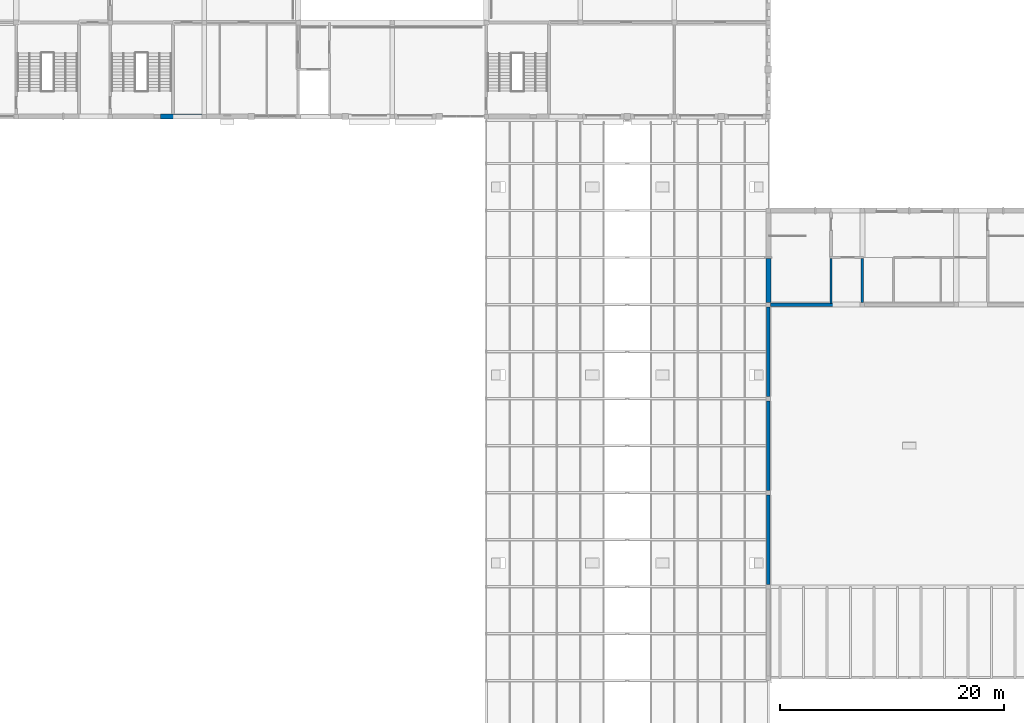
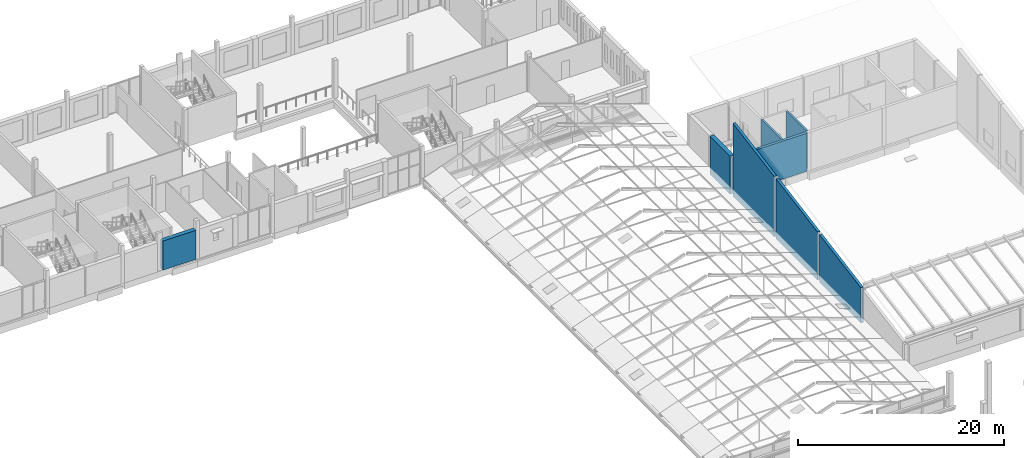
# One storey, part 99 of 116: 8 walls.
"""IFC4 building model written with IfcOpenShell, lengths in metres."""

import ifcopenshell
import ifcopenshell.guid

model = None  # the IFC model being written
_history = None  # IfcOwnerHistory: only IFC2X3 demands one
_inside = {}  # id of a spatial element -> (the spatial element, [elements in it])
_under = {}  # id of a project, library or spatial element -> (it, [spatial elements below it])
_declared = {}  # id of a project -> (the project, [libraries it declares])
_typed = {}  # id of a type object -> (the type object, [elements of that type])
_made_of = {}  # id of a material, layer set ... -> (it, [elements and type objects made of it])


def new_model(schema):
    """Start an empty IFC model of exactly this schema.

    Asked for "IFC4X3", IfcOpenShell would pick the latest addendum, in which some entities
    have other attributes; the version numbers below select the first issue.
    IFC2X3 requires an IfcOwnerHistory on every rooted entity: one is made here for all.
    """
    global model, _history
    if schema == "IFC4X3":
        model = ifcopenshell.file(schema_version=(4, 3, 0, 0))
    else:
        model = ifcopenshell.file(schema=schema)
    _inside.clear()
    _under.clear()
    _declared.clear()
    _typed.clear()
    _made_of.clear()
    _history = None
    if model.schema == "IFC2X3":
        org = make("IfcOrganization", Name="unknown")
        user = make(
            "IfcPersonAndOrganization",
            ThePerson=make("IfcPerson", FamilyName="unknown"),
            TheOrganization=org,
        )
        app = make(
            "IfcApplication",
            ApplicationDeveloper=org,
            Version="unknown",
            ApplicationFullName="unknown",
            ApplicationIdentifier="unknown",
        )
        _history = make(
            "IfcOwnerHistory",
            OwningUser=user,
            OwningApplication=app,
            ChangeAction="ADDED",
            CreationDate=0,
        )
    return model


def make(cls, **values):
    """One entity of the class cls with the attributes given. An attribute that is None is left unset."""
    return model.create_entity(
        cls, **{name: value for name, value in values.items() if value is not None}
    )


def rooted(cls, **values):
    """An entity with a GlobalId (a new one), such as an element, a storey or a relation."""
    return make(cls, GlobalId=ifcopenshell.guid.new(), OwnerHistory=_history, **values)


def si_unit(unit_type, name, prefix=None):
    """IfcSIUnit, for example si_unit("LENGTHUNIT", "METRE", prefix="MILLI")."""
    return make("IfcSIUnit", UnitType=unit_type, Prefix=prefix, Name=name)


def assignment(units):
    """IfcUnitAssignment: the units of a project."""
    return None if units is None else make("IfcUnitAssignment", Units=units)


def point(xyz):
    """IfcCartesianPoint."""
    return None if xyz is None else make("IfcCartesianPoint", Coordinates=xyz)


def direction(xyz):
    """IfcDirection."""
    return None if xyz is None else make("IfcDirection", DirectionRatios=xyz)


def frame(location, z_axis=None, x_axis=None):
    """IfcAxis2Placement3D, a coordinate frame: its origin and axes. An axis left out is left unset."""
    return make(
        "IfcAxis2Placement3D",
        Location=point(location),
        Axis=direction(z_axis),
        RefDirection=direction(x_axis),
    )


def frame_2d(location, x_axis=None):
    """IfcAxis2Placement2D, a coordinate frame in the plane: its origin and x axis."""
    return make(
        "IfcAxis2Placement2D", Location=point(location), RefDirection=direction(x_axis)
    )


def origin():
    """The frame at (0, 0, 0) with its axes left unset."""
    return frame((0.0, 0.0, 0.0))


def place(relative_to, where):
    """IfcLocalPlacement: puts the frame where relative to a parent placement (None: the world)."""
    return make(
        "IfcLocalPlacement", PlacementRelTo=relative_to, RelativePlacement=where
    )


def context(
    kind, dimensions, precision=None, world=None, true_north=None, identifier=None
):
    """IfcGeometricRepresentationContext, for example the 3D "Model" context."""
    return make(
        "IfcGeometricRepresentationContext",
        ContextIdentifier=identifier,
        ContextType=kind,
        CoordinateSpaceDimension=dimensions,
        Precision=precision,
        WorldCoordinateSystem=world,
        TrueNorth=true_north,
    )


def subcontext(parent, identifier, kind, view, scale=None):
    """IfcGeometricRepresentationSubContext, for example "Body" below "Model"."""
    return make(
        "IfcGeometricRepresentationSubContext",
        ContextIdentifier=identifier,
        ContextType=kind,
        ParentContext=parent,
        TargetScale=scale,
        TargetView=view,
    )


def project(units=None, contexts=None):
    """IfcProject with its units and contexts."""
    return rooted(
        "IfcProject",
        Name="project",
        RepresentationContexts=contexts,
        UnitsInContext=assignment(units),
    )


def spatial(cls, under=None, at=None, **own):
    """A site, building, storey or space (cls), placed at a placement, below another one or the project."""
    s = rooted(cls, ObjectPlacement=at, **own)
    if under is not None:
        _under.setdefault(under.id(), (under, []))[1].append(s)
    return s


def polyline(points):
    """IfcPolyline through the points."""
    return make("IfcPolyline", Points=[point(p) for p in points])


def profile(cls, at=None, kind="AREA", **sizes):
    """A parametric profile (cls). Its sizes go by their IFC names, for example OverallWidth=200.0."""
    return make(cls, ProfileType=kind, Position=at, **sizes)


def rectangle(**sizes):
    """IfcRectangleProfileDef."""
    return profile("IfcRectangleProfileDef", **sizes)


def outline(outer, holes=None, kind="AREA"):
    """IfcArbitraryClosedProfileDef: a profile drawn as a closed curve; with holes, ...WithVoids."""
    if holes is None:
        return make("IfcArbitraryClosedProfileDef", ProfileType=kind, OuterCurve=outer)
    return make(
        "IfcArbitraryProfileDefWithVoids",
        ProfileType=kind,
        OuterCurve=outer,
        InnerCurves=holes,
    )


def extrude(swept, where, along, depth):
    """IfcExtrudedAreaSolid: the profile swept, set in the frame where, extruded along a direction by depth."""
    return make(
        "IfcExtrudedAreaSolid",
        SweptArea=swept,
        Position=where,
        ExtrudedDirection=direction(along),
        Depth=depth,
    )


def shape(context_of_items, identifier, shape_type, items):
    """IfcShapeRepresentation: the items that make up one representation, for example the "Body"."""
    return make(
        "IfcShapeRepresentation",
        ContextOfItems=context_of_items,
        RepresentationIdentifier=identifier,
        RepresentationType=shape_type,
        Items=items,
    )


def material(Name=None, Category=None):
    """IfcMaterial."""
    return make("IfcMaterial", Name=Name, Category=Category)


def layer(
    of_material, thickness, ventilated=None, Name=None, Category=None, Priority=None
):
    """IfcMaterialLayer: one layer of a wall or slab, of a material (None: an air gap)."""
    return make(
        "IfcMaterialLayer",
        Material=of_material,
        LayerThickness=thickness,
        IsVentilated=ventilated,
        Name=Name,
        Category=Category,
        Priority=Priority,
    )


def layer_set(layers, Name=None):
    """IfcMaterialLayerSet."""
    return make("IfcMaterialLayerSet", MaterialLayers=layers, LayerSetName=Name)


def made_of(thing, what):
    """Note that an element or type object is made of a material, layer set ...; save() writes the relation."""
    if what is not None:
        _made_of.setdefault(what.id(), (what, []))[1].append(thing)
    return thing


def type_object(cls, material=None, **own):
    """A type object (cls), such as IfcWallType, which elements share."""
    return made_of(rooted(cls, **own), material)


def element(
    cls,
    number,
    at=None,
    inside=None,
    cuts=None,
    type_object=None,
    material=None,
    context=None,
    identifier="Body",
    shape_type=None,
    held_by="IfcProductDefinitionShape",
    body=None,
    shapes=None,
    **own,
):
    """One element of the class cls, such as IfcWall. Its Tag is "e" and its number.

    at: its placement. inside: the storey or other place that contains it. cuts: it is an
    opening in that element (IfcRelVoidsElement). A single representation is given by context,
    identifier, shape_type and body (its items); several are given by shapes. held_by: the class
    of the entity that holds the representations. save() writes the other relations.
    """
    e = rooted(cls, Tag="e%d" % number, ObjectPlacement=at, **own)
    if body is not None:
        shapes = [shape(context, identifier, shape_type, body)]
    if shapes is not None:
        e.Representation = make(held_by, Representations=shapes)
    if inside is not None:
        _inside.setdefault(inside.id(), (inside, []))[1].append(e)
    if cuts is not None:
        rooted(
            "IfcRelVoidsElement", RelatingBuildingElement=cuts, RelatedOpeningElement=e
        )
    if type_object is not None:
        _typed.setdefault(type_object.id(), (type_object, []))[1].append(e)
    return made_of(e, material)


def aggregate(whole, parts):
    """IfcRelAggregates: a whole, such as a stair, and the parts it consists of."""
    return rooted("IfcRelAggregates", RelatingObject=whole, RelatedObjects=parts)


def save(model, path):
    """Write the relations noted so far, then the file.

    IfcRelAggregates (storeys below a building ...), IfcRelContainedInSpatialStructure (elements
    in a storey), IfcRelDefinesByType, IfcRelAssociatesMaterial and IfcRelDeclares: one each for
    every whole, place, type object, material and project.
    """
    for whole, parts in _under.values():
        aggregate(whole, parts)
    for where, things in _inside.values():
        rooted(
            "IfcRelContainedInSpatialStructure",
            RelatedElements=things,
            RelatingStructure=where,
        )
    for kind, things in _typed.values():
        rooted("IfcRelDefinesByType", RelatedObjects=things, RelatingType=kind)
    for what, things in _made_of.values():
        rooted("IfcRelAssociatesMaterial", RelatedObjects=things, RelatingMaterial=what)
    for by, libraries in _declared.values():
        rooted("IfcRelDeclares", RelatingContext=by, RelatedDefinitions=libraries)
    model.write(path)


model = new_model("IFC4")

# Units and contexts
model_context = context("Model", 3, precision=1e-05, world=origin(), true_north=direction((0.0, 1.0)))
body_context = subcontext(model_context, "Body", "Model", "MODEL_VIEW")
ifc_project = project(units=[si_unit("LENGTHUNIT", "METRE"), si_unit("AREAUNIT", "SQUARE_METRE"), si_unit("VOLUMEUNIT", "CUBIC_METRE"), si_unit("PLANEANGLEUNIT", "RADIAN"), si_unit("MASSUNIT", "GRAM", prefix="KILO")], contexts=[model_context])

# Site, building, storey
site_placement = place(None, origin())
site = spatial("IfcSite", under=ifc_project, at=site_placement, CompositionType="ELEMENT")
building_placement = place(site_placement, origin())
building = spatial("IfcBuilding", under=site, at=building_placement, Name="Fescue Hill Polytechnic", CompositionType="ELEMENT")
storey_placement = place(building_placement, frame((0.0, 0.0, 13.5)))
storey = spatial("IfcBuildingStorey", under=building, at=storey_placement, Name="L03", CompositionType="ELEMENT", Elevation=13.5)

# Walls
ifc_material = material(Name="Concrete 40 MPa", Category="concrete")
ifc_layer_1 = layer(ifc_material, 0.449951171875)
ifc_layer_set_1 = layer_set([ifc_layer_1], Name="Concrete 40 MPa")
wall_type_1 = type_object("IfcWallType", Name="Exterior wall board-marked concrete 450 load-bearing", PredefinedType="SOLIDWALL", material=ifc_layer_set_1)
wall_1_placement = place(storey_placement, frame((117.60009765625, 96.5400390625, 0.0), z_axis=(0.0, 0.0, 1.0), x_axis=(0.0, -1.0, 0.0)))
element("IfcWall", 1, at=wall_1_placement, inside=storey, type_object=wall_type_1, Name="EW-L03-V2-10", PredefinedType="SOLIDWALL", context=body_context, shape_type="SweptSolid", body=[
    extrude(rectangle(XDim=3.93994140625, YDim=0.449951171875, at=frame_2d((1.969970703125, 0.0))), origin(), (0.0, 0.0, 1.0), 4.5),
])
wall_2_placement = place(storey_placement, frame((63.300048828125, 109.199951171875, 0.0), z_axis=(0.0, 0.0, 1.0), x_axis=(1.0, 0.0, 0.0)))
element("IfcWall", 2, at=wall_2_placement, inside=storey, type_object=wall_type_1, Name="EW-L03-V4b-2", PredefinedType="SOLIDWALL", context=body_context, shape_type="SweptSolid", body=[
    extrude(rectangle(XDim=3.699951171875, YDim=0.449951171875, at=frame_2d((1.85009765625, 0.0))), origin(), (0.0, 0.0, 1.0), 3.449951171875),
])
ifc_layer_2 = layer(ifc_material, 0.300048828125)
ifc_layer_set_2 = layer_set([ifc_layer_2], Name="Concrete 40 MPa")
wall_type_2 = type_object("IfcWallType", Name="Hall wall concrete 300 fire rated", PredefinedType="SOLIDWALL", material=ifc_layer_set_2)
wall_3_placement = place(storey_placement, frame((117.60009765625, 92.199951171875, 0.0), z_axis=(0.0, 0.0, 1.0), x_axis=(0.0, -1.0, 0.0)))
element("IfcWall", 3, at=wall_3_placement, inside=storey, type_object=wall_type_2, Name="EW-L03-V2-24", PredefinedType="SOLIDWALL", context=body_context, shape_type="SweptSolid", body=[
    extrude(outline(polyline([(0.0, 0.0), (8.0, 0.0), (8.0, 7.185791015625), (0.0, 8.6142578125), (0.0, 0.0)])), frame((0.0, 0.14990234375, 0.0), z_axis=(0.0, -1.0, 0.0), x_axis=(1.0, 0.0, 0.0)), (0.0, 0.0, 1.0), 0.300048828125),
])
wall_4_placement = place(storey_placement, frame((117.60009765625, 83.800048828125, 0.0), z_axis=(0.0, 0.0, 1.0), x_axis=(0.0, -1.0, 0.0)))
element("IfcWall", 4, at=wall_4_placement, inside=storey, type_object=wall_type_2, Name="EW-L03-V2-25", PredefinedType="SOLIDWALL", context=body_context, shape_type="SweptSolid", body=[
    extrude(outline(polyline([(0.0, 0.0), (8.0, 0.0), (8.0, 5.685791015625), (0.0, 7.1142578125), (0.0, 0.0)])), frame((0.0, 0.14990234375, 0.0), z_axis=(0.0, -1.0, 0.0), x_axis=(1.0, 0.0, 0.0)), (0.0, 0.0, 1.0), 0.300048828125),
])
wall_5_placement = place(storey_placement, frame((117.60009765625, 75.39990234375, 0.0), z_axis=(0.0, 0.0, 1.0), x_axis=(0.0, -1.0, 0.0)))
element("IfcWall", 5, at=wall_5_placement, inside=storey, type_object=wall_type_2, Name="EW-L03-V2-26", PredefinedType="SOLIDWALL", context=body_context, shape_type="SweptSolid", body=[
    extrude(outline(polyline([(0.0, 0.0), (8.0, 0.0), (8.0, 4.185791015625), (0.0, 5.6142578125), (0.0, 0.0)])), frame((0.0, 0.14990234375, 0.0), z_axis=(0.0, -1.0, 0.0), x_axis=(1.0, 0.0, 0.0)), (0.0, 0.0, 1.0), 0.300048828125),
])
ifc_layer_3 = layer(ifc_material, 0.300048828125)
ifc_layer_set_3 = layer_set([ifc_layer_3], Name="Concrete 40 MPa")
wall_type_3 = type_object("IfcWallType", Name="Hall wall concrete 300 load-bearing REI 120", PredefinedType="SOLIDWALL", material=ifc_layer_set_3)
wall_6_placement = place(storey_placement, frame((117.800048828125, 92.39990234375, 0.0), z_axis=(0.0, 0.0, 1.0), x_axis=(1.0, 0.0, 0.0)))
element("IfcWall", 6, at=wall_6_placement, inside=storey, type_object=wall_type_3, Name="EW-L03-V2-11", PredefinedType="SOLIDWALL", context=body_context, shape_type="SweptSolid", body=[
    extrude(rectangle(XDim=8.0, YDim=0.300048828125, at=frame_2d((4.0, 0.0))), origin(), (0.0, 0.0, 1.0), 4.5),
])
ifc_layer_4 = layer(ifc_material, 0.199951171875)
ifc_layer_set_4 = layer_set([ifc_layer_4], Name="Concrete 40 MPa")
wall_type_4 = type_object("IfcWallType", Name="Lift shaft wall 200", PredefinedType="SHEAR", material=ifc_layer_set_4)
wall_7_placement = place(storey_placement, frame((123.199951171875, 92.5, 0.0), z_axis=(0.0, 0.0, 1.0), x_axis=(0.0, 1.0, 0.0)))
element("IfcWall", 7, at=wall_7_placement, inside=storey, type_object=wall_type_4, Name="CW-L03-LF-V2-1-31", PredefinedType="SHEAR", context=body_context, shape_type="SweptSolid", body=[
    extrude(rectangle(XDim=4.0, YDim=0.199951171875, at=frame_2d((2.0, 0.0))), origin(), (0.0, 0.0, 1.0), 4.5),
])
wall_8_placement = place(storey_placement, frame((126.0, 92.60009765625, 0.0), z_axis=(0.0, 0.0, 1.0), x_axis=(0.0, 1.0, 0.0)))
element("IfcWall", 8, at=wall_8_placement, inside=storey, type_object=wall_type_4, Name="CW-L03-LF-V2-1-41", PredefinedType="SHEAR", context=body_context, shape_type="SweptSolid", body=[
    extrude(rectangle(XDim=3.89990234375, YDim=0.199951171875, at=frame_2d((1.949951171875, 0.0))), origin(), (0.0, 0.0, 1.0), 4.5),
])

save(model, "model.ifc")
